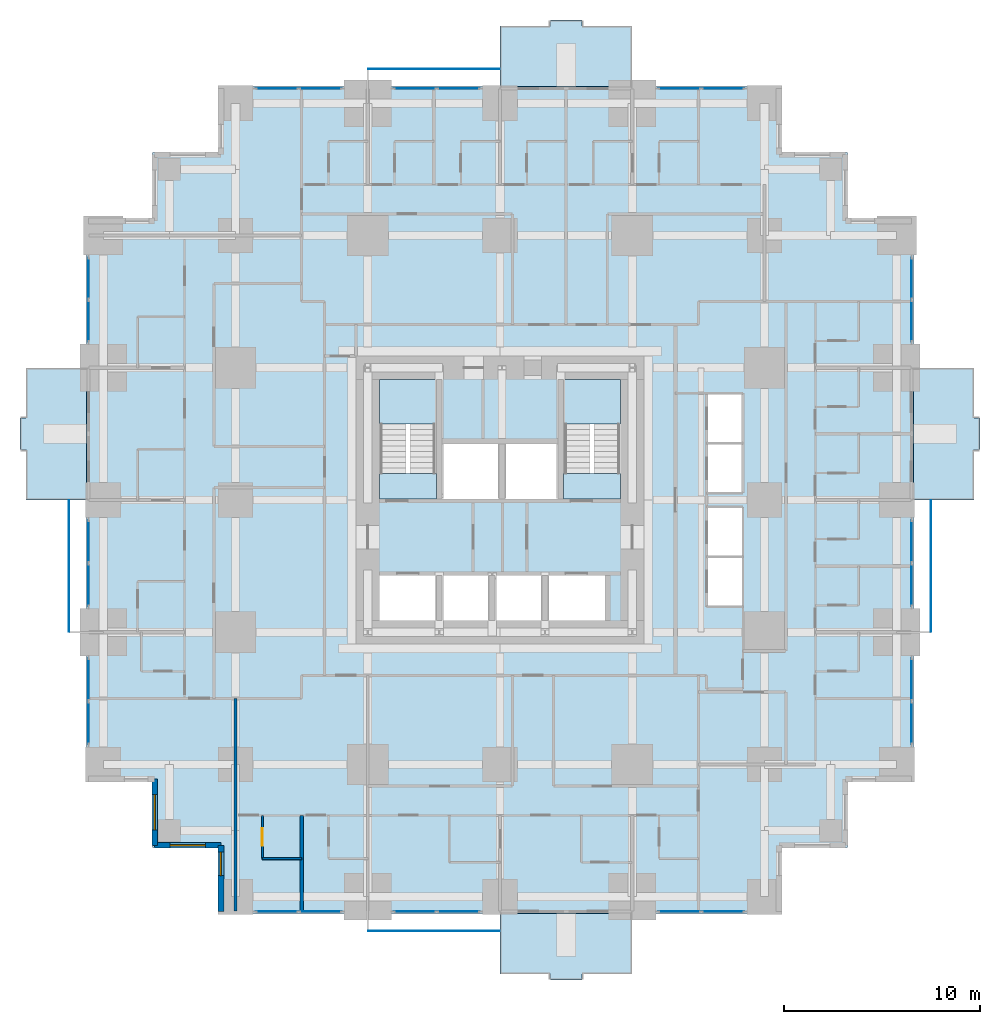
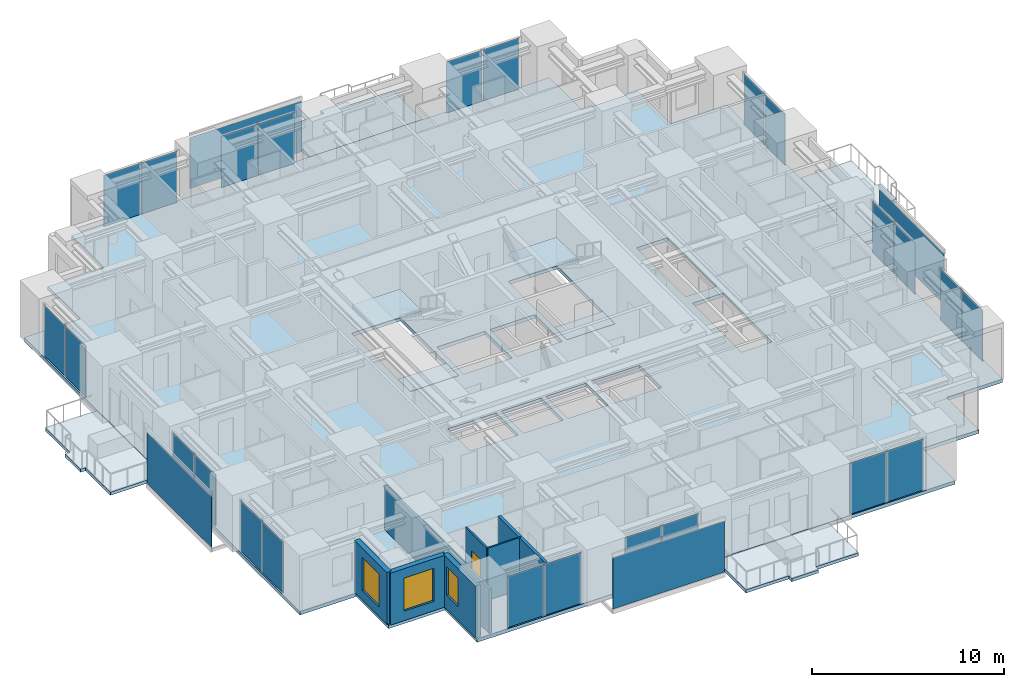
# One storey, part 7 of 15: 28 plates, 9 slabs, 7 walls, 3 windows, 1 door, 4 openings, 14 elements without a shape of their own.
"""IFC4 building model written with IfcOpenShell, lengths in metres."""

from ifc_helpers import new_model, si_unit, direction, frame, frame_2d, origin, origin_2d, place, context, subcontext, project, spatial, polyline, rectangle, outline, extrude, material, layer, layer_set, type_object, element, fill, aggregate, save


model = new_model("IFC4")

# Units and contexts
model_context = context("Model", 3, precision=1e-05, world=origin(), true_north=direction((0.0, 1.0)))
body_context = subcontext(model_context, "Body", "Model", "MODEL_VIEW")
ifc_project = project(units=[si_unit("LENGTHUNIT", "METRE"), si_unit("AREAUNIT", "SQUARE_METRE"), si_unit("VOLUMEUNIT", "CUBIC_METRE"), si_unit("PLANEANGLEUNIT", "RADIAN"), si_unit("MASSUNIT", "GRAM", prefix="KILO")], contexts=[model_context])

# Site, building, storey
site_placement = place(None, origin())
site = spatial("IfcSite", under=ifc_project, at=site_placement, CompositionType="ELEMENT")
building_placement = place(site_placement, origin())
building = spatial("IfcBuilding", under=site, at=building_placement, Name="Nyansa Garden Tower", CompositionType="ELEMENT")
storey_placement = place(building_placement, frame((0.0, 0.0, 72.0)))
storey = spatial("IfcBuildingStorey", under=building, at=storey_placement, Name="L19", CompositionType="ELEMENT", Elevation=72.0)

# Slabs
ifc_material_1 = material(Name="Concrete C40/50", Category="concrete")
ifc_layer_1 = layer(ifc_material_1, 0.199951171875)
ifc_layer_set_1 = layer_set([ifc_layer_1], Name="Balcony slab BS200")
slab_type_1 = type_object("IfcSlabType", Name="Balcony slab BS200", PredefinedType="FLOOR", material=ifc_layer_set_1)
slab_1_placement = place(storey_placement, frame((0.0, 0.0, -0.239990234375)))
element("IfcSlab", 1, at=slab_1_placement, inside=storey, type_object=slab_type_1, Name="Balcony L19 S", PredefinedType="FLOOR", context=body_context, shape_type="SweptSolid", body=[
    extrude(outline(polyline([(20.25, -0.85009765625), (27.0, -0.85009765625), (27.0, -3.949951171875), (24.425048828125, -3.949951171875), (24.425048828125, -4.25), (22.824951171875, -4.25), (22.824951171875, -3.949951171875), (20.25, -3.949951171875), (20.25, -0.85009765625)])), origin(), (0.0, 0.0, 1.0), 0.199951171875),
])
slab_2_placement = place(storey_placement, frame((0.0, 0.0, -0.239990234375)))
element("IfcSlab", 2, at=slab_2_placement, inside=storey, type_object=slab_type_1, Name="Balcony L19 E", PredefinedType="FLOOR", context=body_context, shape_type="SweptSolid", body=[
    extrude(outline(polyline([(41.35009765625, 20.25), (41.35009765625, 27.0), (44.449951171875, 27.0), (44.449951171875, 24.425048828125), (44.75, 24.425048828125), (44.75, 22.824951171875), (44.449951171875, 22.824951171875), (44.449951171875, 20.25), (41.35009765625, 20.25)])), origin(), (0.0, 0.0, 1.0), 0.199951171875),
])
slab_3_placement = place(storey_placement, frame((0.0, 0.0, -0.239990234375)))
element("IfcSlab", 3, at=slab_3_placement, inside=storey, type_object=slab_type_1, Name="Balcony L19 N", PredefinedType="FLOOR", context=body_context, shape_type="SweptSolid", body=[
    extrude(outline(polyline([(20.25, 41.35009765625), (27.0, 41.35009765625), (27.0, 44.449951171875), (24.425048828125, 44.449951171875), (24.425048828125, 44.75), (22.824951171875, 44.75), (22.824951171875, 44.449951171875), (20.25, 44.449951171875), (20.25, 41.35009765625)])), origin(), (0.0, 0.0, 1.0), 0.199951171875),
])
slab_4_placement = place(storey_placement, frame((0.0, 0.0, -0.239990234375)))
element("IfcSlab", 4, at=slab_4_placement, inside=storey, type_object=slab_type_1, Name="Balcony L19 W", PredefinedType="FLOOR", context=body_context, shape_type="SweptSolid", body=[
    extrude(outline(polyline([(-0.85009765625, 20.25), (-0.85009765625, 27.0), (-3.949951171875, 27.0), (-3.949951171875, 24.425048828125), (-4.25, 24.425048828125), (-4.25, 22.824951171875), (-3.949951171875, 22.824951171875), (-3.949951171875, 20.25), (-0.85009765625, 20.25)])), origin(), (0.0, 0.0, 1.0), 0.199951171875),
])

# Curtain wall, plates
ifc_material_2 = material(Name="Black anodised aluminium, dark tinted double glazing", Category="aluminium")
curtain_wall_type = type_object("IfcCurtainWallType", Name="Inner skin curtain wall ISW-A", PredefinedType="USERDEFINED", material=ifc_material_2)
curtain_wall_1_placement = place(storey_placement, origin())
curtain_wall_1 = element("IfcCurtainWall", 5, at=curtain_wall_1_placement, inside=storey, type_object=curtain_wall_type, Name="Inner skin curtain wall L19 E", ObjectType="UNITISED CURTAIN WALL", PredefinedType="USERDEFINED")
ifc_material_3 = material(Name="Dark tinted laminated double glazing", Category="glass")
ifc_layer_2 = layer(ifc_material_3, 0.031982421875)
ifc_layer_set_2 = layer_set([ifc_layer_2], Name="Dark tinted vision panel VP-A")
plate_type_1 = type_object("IfcPlateType", Name="Dark tinted vision panel VP-A", PredefinedType="CURTAIN_PANEL", material=ifc_layer_set_2)
plate_1_placement = place(storey_placement, frame((41.25, 8.862548828125, 0.0), z_axis=(0.0, 0.0, 1.0), x_axis=(0.0, 1.0, 0.0)))
plate_1 = element("IfcPlate", 6, at=plate_1_placement, type_object=plate_type_1, Name="ISW-A panel 1", PredefinedType="CURTAIN_PANEL", context=body_context, shape_type="SweptSolid", body=[
    extrude(rectangle(XDim=2.159912109375, YDim=0.031982421875, at=origin_2d()), origin(), (0.0, 0.0, 1.0), 3.235107421875),
])
plate_2_placement = place(storey_placement, frame((41.25, 11.08740234375, 0.0), z_axis=(0.0, 0.0, 1.0), x_axis=(0.0, 1.0, 0.0)))
plate_2 = element("IfcPlate", 7, at=plate_2_placement, type_object=plate_type_1, Name="ISW-A panel 2", PredefinedType="CURTAIN_PANEL", context=body_context, shape_type="SweptSolid", body=[
    extrude(rectangle(XDim=2.159912109375, YDim=0.031982421875, at=origin_2d()), origin(), (0.0, 0.0, 1.0), 3.235107421875),
])
aggregate(curtain_wall_1, [plate_1, plate_2])

curtain_wall_2_placement = place(storey_placement, origin())
curtain_wall_2 = element("IfcCurtainWall", 8, at=curtain_wall_2_placement, inside=storey, type_object=curtain_wall_type, Name="Inner skin curtain wall L19 E", ObjectType="UNITISED CURTAIN WALL", PredefinedType="USERDEFINED")
plate_3_placement = place(storey_placement, frame((41.25, 15.91259765625, 0.0), z_axis=(0.0, 0.0, 1.0), x_axis=(0.0, 1.0, 0.0)))
plate_3 = element("IfcPlate", 9, at=plate_3_placement, type_object=plate_type_1, Name="ISW-A panel 1", PredefinedType="CURTAIN_PANEL", context=body_context, shape_type="SweptSolid", body=[
    extrude(rectangle(XDim=2.159912109375, YDim=0.031982421875, at=origin_2d()), origin(), (0.0, 0.0, 1.0), 3.235107421875),
])
plate_4_placement = place(storey_placement, frame((41.25, 18.137451171875, 0.0), z_axis=(0.0, 0.0, 1.0), x_axis=(0.0, 1.0, 0.0)))
plate_4 = element("IfcPlate", 10, at=plate_4_placement, type_object=plate_type_1, Name="ISW-A panel 2", PredefinedType="CURTAIN_PANEL", context=body_context, shape_type="SweptSolid", body=[
    extrude(rectangle(XDim=2.159912109375, YDim=0.031982421875, at=origin_2d()), origin(), (0.0, 0.0, 1.0), 3.235107421875),
])
aggregate(curtain_wall_2, [plate_3, plate_4])

curtain_wall_3_placement = place(storey_placement, origin())
curtain_wall_3 = element("IfcCurtainWall", 11, at=curtain_wall_3_placement, inside=storey, type_object=curtain_wall_type, Name="Inner skin curtain wall L19 E", ObjectType="UNITISED CURTAIN WALL", PredefinedType="USERDEFINED")
plate_5_placement = place(storey_placement, frame((41.25, 29.387451171875, 0.0), z_axis=(0.0, 0.0, 1.0), x_axis=(0.0, 1.0, 0.0)))
plate_5 = element("IfcPlate", 12, at=plate_5_placement, type_object=plate_type_1, Name="ISW-A panel 1", PredefinedType="CURTAIN_PANEL", context=body_context, shape_type="SweptSolid", body=[
    extrude(rectangle(XDim=2.110107421875, YDim=0.031982421875, at=origin_2d()), origin(), (0.0, 0.0, 1.0), 3.235107421875),
])
plate_6_placement = place(storey_placement, frame((41.25, 31.5625, 0.0), z_axis=(0.0, 0.0, 1.0), x_axis=(0.0, 1.0, 0.0)))
plate_6 = element("IfcPlate", 13, at=plate_6_placement, type_object=plate_type_1, Name="ISW-A panel 2", PredefinedType="CURTAIN_PANEL", context=body_context, shape_type="SweptSolid", body=[
    extrude(rectangle(XDim=2.110107421875, YDim=0.031982421875, at=origin_2d()), origin(), (0.0, 0.0, 1.0), 3.235107421875),
])
aggregate(curtain_wall_3, [plate_5, plate_6])

curtain_wall_4_placement = place(storey_placement, origin())
curtain_wall_4 = element("IfcCurtainWall", 14, at=curtain_wall_4_placement, inside=storey, type_object=curtain_wall_type, Name="Inner skin curtain wall L19 N", ObjectType="UNITISED CURTAIN WALL", PredefinedType="USERDEFINED")
plate_7_placement = place(storey_placement, frame((18.137451171875, 41.25, 0.0), z_axis=(0.0, 0.0, 1.0), x_axis=(-1.0, 0.0, 0.0)))
plate_7 = element("IfcPlate", 15, at=plate_7_placement, type_object=plate_type_1, Name="ISW-A panel 1", PredefinedType="CURTAIN_PANEL", context=body_context, shape_type="SweptSolid", body=[
    extrude(rectangle(XDim=2.159912109375, YDim=0.031982421875, at=origin_2d()), origin(), (0.0, 0.0, 1.0), 3.235107421875),
])
plate_8_placement = place(storey_placement, frame((15.91259765625, 41.25, 0.0), z_axis=(0.0, 0.0, 1.0), x_axis=(-1.0, 0.0, 0.0)))
plate_8 = element("IfcPlate", 16, at=plate_8_placement, type_object=plate_type_1, Name="ISW-A panel 2", PredefinedType="CURTAIN_PANEL", context=body_context, shape_type="SweptSolid", body=[
    extrude(rectangle(XDim=2.159912109375, YDim=0.031982421875, at=origin_2d()), origin(), (0.0, 0.0, 1.0), 3.235107421875),
])
aggregate(curtain_wall_4, [plate_7, plate_8])

curtain_wall_5_placement = place(storey_placement, origin())
curtain_wall_5 = element("IfcCurtainWall", 17, at=curtain_wall_5_placement, inside=storey, type_object=curtain_wall_type, Name="Inner skin curtain wall L19 N", ObjectType="UNITISED CURTAIN WALL", PredefinedType="USERDEFINED")
plate_9_placement = place(storey_placement, frame((11.08740234375, 41.25, 0.0), z_axis=(0.0, 0.0, 1.0), x_axis=(-1.0, 0.0, 0.0)))
plate_9 = element("IfcPlate", 18, at=plate_9_placement, type_object=plate_type_1, Name="ISW-A panel 1", PredefinedType="CURTAIN_PANEL", context=body_context, shape_type="SweptSolid", body=[
    extrude(rectangle(XDim=2.159912109375, YDim=0.031982421875, at=origin_2d()), origin(), (0.0, 0.0, 1.0), 3.235107421875),
])
plate_10_placement = place(storey_placement, frame((8.862548828125, 41.25, 0.0), z_axis=(0.0, 0.0, 1.0), x_axis=(-1.0, 0.0, 0.0)))
plate_10 = element("IfcPlate", 19, at=plate_10_placement, type_object=plate_type_1, Name="ISW-A panel 2", PredefinedType="CURTAIN_PANEL", context=body_context, shape_type="SweptSolid", body=[
    extrude(rectangle(XDim=2.159912109375, YDim=0.031982421875, at=origin_2d()), origin(), (0.0, 0.0, 1.0), 3.235107421875),
])
aggregate(curtain_wall_5, [plate_9, plate_10])

curtain_wall_6_placement = place(storey_placement, origin())
curtain_wall_6 = element("IfcCurtainWall", 20, at=curtain_wall_6_placement, inside=storey, type_object=curtain_wall_type, Name="Inner skin curtain wall L19 N", ObjectType="UNITISED CURTAIN WALL", PredefinedType="USERDEFINED")
plate_11_placement = place(storey_placement, frame((31.637451171875, 41.25, 0.0), z_axis=(0.0, 0.0, 1.0), x_axis=(-1.0, 0.0, 0.0)))
plate_11 = element("IfcPlate", 21, at=plate_11_placement, type_object=plate_type_1, Name="ISW-A panel 1", PredefinedType="CURTAIN_PANEL", context=body_context, shape_type="SweptSolid", body=[
    extrude(rectangle(XDim=2.159912109375, YDim=0.031982421875, at=origin_2d()), origin(), (0.0, 0.0, 1.0), 3.235107421875),
])
plate_12_placement = place(storey_placement, frame((29.41259765625, 41.25, 0.0), z_axis=(0.0, 0.0, 1.0), x_axis=(-1.0, 0.0, 0.0)))
plate_12 = element("IfcPlate", 22, at=plate_12_placement, type_object=plate_type_1, Name="ISW-A panel 2", PredefinedType="CURTAIN_PANEL", context=body_context, shape_type="SweptSolid", body=[
    extrude(rectangle(XDim=2.159912109375, YDim=0.031982421875, at=origin_2d()), origin(), (0.0, 0.0, 1.0), 3.235107421875),
])
aggregate(curtain_wall_6, [plate_11, plate_12])

curtain_wall_7_placement = place(storey_placement, origin())
curtain_wall_7 = element("IfcCurtainWall", 23, at=curtain_wall_7_placement, inside=storey, type_object=curtain_wall_type, Name="Inner skin curtain wall L19 W", ObjectType="UNITISED CURTAIN WALL", PredefinedType="USERDEFINED")
plate_13_placement = place(storey_placement, frame((-0.75, 18.137451171875, 0.0), z_axis=(0.0, 0.0, 1.0), x_axis=(0.0, -1.0, 0.0)))
plate_13 = element("IfcPlate", 24, at=plate_13_placement, type_object=plate_type_1, Name="ISW-A panel 1", PredefinedType="CURTAIN_PANEL", context=body_context, shape_type="SweptSolid", body=[
    extrude(rectangle(XDim=2.159912109375, YDim=0.031982421875, at=origin_2d()), origin(), (0.0, 0.0, 1.0), 3.235107421875),
])
plate_14_placement = place(storey_placement, frame((-0.75, 15.91259765625, 0.0), z_axis=(0.0, 0.0, 1.0), x_axis=(0.0, -1.0, 0.0)))
plate_14 = element("IfcPlate", 25, at=plate_14_placement, type_object=plate_type_1, Name="ISW-A panel 2", PredefinedType="CURTAIN_PANEL", context=body_context, shape_type="SweptSolid", body=[
    extrude(rectangle(XDim=2.159912109375, YDim=0.031982421875, at=origin_2d()), origin(), (0.0, 0.0, 1.0), 3.235107421875),
])
aggregate(curtain_wall_7, [plate_13, plate_14])

curtain_wall_8_placement = place(storey_placement, origin())
curtain_wall_8 = element("IfcCurtainWall", 26, at=curtain_wall_8_placement, inside=storey, type_object=curtain_wall_type, Name="Inner skin curtain wall L19 W", ObjectType="UNITISED CURTAIN WALL", PredefinedType="USERDEFINED")
plate_15_placement = place(storey_placement, frame((-0.75, 11.08740234375, 0.0), z_axis=(0.0, 0.0, 1.0), x_axis=(0.0, -1.0, 0.0)))
plate_15 = element("IfcPlate", 27, at=plate_15_placement, type_object=plate_type_1, Name="ISW-A panel 1", PredefinedType="CURTAIN_PANEL", context=body_context, shape_type="SweptSolid", body=[
    extrude(rectangle(XDim=2.159912109375, YDim=0.031982421875, at=origin_2d()), origin(), (0.0, 0.0, 1.0), 3.235107421875),
])
plate_16_placement = place(storey_placement, frame((-0.75, 8.862548828125, 0.0), z_axis=(0.0, 0.0, 1.0), x_axis=(0.0, -1.0, 0.0)))
plate_16 = element("IfcPlate", 28, at=plate_16_placement, type_object=plate_type_1, Name="ISW-A panel 2", PredefinedType="CURTAIN_PANEL", context=body_context, shape_type="SweptSolid", body=[
    extrude(rectangle(XDim=2.159912109375, YDim=0.031982421875, at=origin_2d()), origin(), (0.0, 0.0, 1.0), 3.235107421875),
])
aggregate(curtain_wall_8, [plate_15, plate_16])

curtain_wall_9_placement = place(storey_placement, origin())
curtain_wall_9 = element("IfcCurtainWall", 29, at=curtain_wall_9_placement, inside=storey, type_object=curtain_wall_type, Name="Inner skin curtain wall L19 W", ObjectType="UNITISED CURTAIN WALL", PredefinedType="USERDEFINED")
plate_17_placement = place(storey_placement, frame((-0.75, 31.5625, 0.0), z_axis=(0.0, 0.0, 1.0), x_axis=(0.0, -1.0, 0.0)))
plate_17 = element("IfcPlate", 30, at=plate_17_placement, type_object=plate_type_1, Name="ISW-A panel 1", PredefinedType="CURTAIN_PANEL", context=body_context, shape_type="SweptSolid", body=[
    extrude(rectangle(XDim=2.110107421875, YDim=0.031982421875, at=origin_2d()), origin(), (0.0, 0.0, 1.0), 3.235107421875),
])
plate_18_placement = place(storey_placement, frame((-0.75, 29.387451171875, 0.0), z_axis=(0.0, 0.0, 1.0), x_axis=(0.0, -1.0, 0.0)))
plate_18 = element("IfcPlate", 31, at=plate_18_placement, type_object=plate_type_1, Name="ISW-A panel 2", PredefinedType="CURTAIN_PANEL", context=body_context, shape_type="SweptSolid", body=[
    extrude(rectangle(XDim=2.110107421875, YDim=0.031982421875, at=origin_2d()), origin(), (0.0, 0.0, 1.0), 3.235107421875),
])
aggregate(curtain_wall_9, [plate_17, plate_18])

curtain_wall_10_placement = place(storey_placement, origin())
curtain_wall_10 = element("IfcCurtainWall", 32, at=curtain_wall_10_placement, inside=storey, type_object=curtain_wall_type, Name="Inner skin curtain wall L19 S", ObjectType="UNITISED CURTAIN WALL", PredefinedType="USERDEFINED")
plate_19_placement = place(storey_placement, frame((8.862548828125, -0.75, 0.0), z_axis=(0.0, 0.0, 1.0), x_axis=(1.0, 0.0, 0.0)))
plate_19 = element("IfcPlate", 33, at=plate_19_placement, type_object=plate_type_1, Name="ISW-A panel 1", PredefinedType="CURTAIN_PANEL", context=body_context, shape_type="SweptSolid", body=[
    extrude(rectangle(XDim=2.159912109375, YDim=0.031982421875, at=origin_2d()), origin(), (0.0, 0.0, 1.0), 3.235107421875),
])
plate_20_placement = place(storey_placement, frame((11.08740234375, -0.75, 0.0), z_axis=(0.0, 0.0, 1.0), x_axis=(1.0, 0.0, 0.0)))
plate_20 = element("IfcPlate", 34, at=plate_20_placement, type_object=plate_type_1, Name="ISW-A panel 2", PredefinedType="CURTAIN_PANEL", context=body_context, shape_type="SweptSolid", body=[
    extrude(rectangle(XDim=2.159912109375, YDim=0.031982421875, at=origin_2d()), origin(), (0.0, 0.0, 1.0), 3.235107421875),
])
aggregate(curtain_wall_10, [plate_19, plate_20])

curtain_wall_11_placement = place(storey_placement, origin())
curtain_wall_11 = element("IfcCurtainWall", 35, at=curtain_wall_11_placement, inside=storey, type_object=curtain_wall_type, Name="Inner skin curtain wall L19 S", ObjectType="UNITISED CURTAIN WALL", PredefinedType="USERDEFINED")
plate_21_placement = place(storey_placement, frame((15.91259765625, -0.75, 0.0), z_axis=(0.0, 0.0, 1.0), x_axis=(1.0, 0.0, 0.0)))
plate_21 = element("IfcPlate", 36, at=plate_21_placement, type_object=plate_type_1, Name="ISW-A panel 1", PredefinedType="CURTAIN_PANEL", context=body_context, shape_type="SweptSolid", body=[
    extrude(rectangle(XDim=2.159912109375, YDim=0.031982421875, at=origin_2d()), origin(), (0.0, 0.0, 1.0), 3.235107421875),
])
plate_22_placement = place(storey_placement, frame((18.137451171875, -0.75, 0.0), z_axis=(0.0, 0.0, 1.0), x_axis=(1.0, 0.0, 0.0)))
plate_22 = element("IfcPlate", 37, at=plate_22_placement, type_object=plate_type_1, Name="ISW-A panel 2", PredefinedType="CURTAIN_PANEL", context=body_context, shape_type="SweptSolid", body=[
    extrude(rectangle(XDim=2.159912109375, YDim=0.031982421875, at=origin_2d()), origin(), (0.0, 0.0, 1.0), 3.235107421875),
])
aggregate(curtain_wall_11, [plate_21, plate_22])

curtain_wall_12_placement = place(storey_placement, origin())
curtain_wall_12 = element("IfcCurtainWall", 38, at=curtain_wall_12_placement, inside=storey, type_object=curtain_wall_type, Name="Inner skin curtain wall L19 S", ObjectType="UNITISED CURTAIN WALL", PredefinedType="USERDEFINED")
plate_23_placement = place(storey_placement, frame((29.41259765625, -0.75, 0.0), z_axis=(0.0, 0.0, 1.0), x_axis=(1.0, 0.0, 0.0)))
plate_23 = element("IfcPlate", 39, at=plate_23_placement, type_object=plate_type_1, Name="ISW-A panel 1", PredefinedType="CURTAIN_PANEL", context=body_context, shape_type="SweptSolid", body=[
    extrude(rectangle(XDim=2.159912109375, YDim=0.031982421875, at=origin_2d()), origin(), (0.0, 0.0, 1.0), 3.235107421875),
])
plate_24_placement = place(storey_placement, frame((31.637451171875, -0.75, 0.0), z_axis=(0.0, 0.0, 1.0), x_axis=(1.0, 0.0, 0.0)))
plate_24 = element("IfcPlate", 40, at=plate_24_placement, type_object=plate_type_1, Name="ISW-A panel 2", PredefinedType="CURTAIN_PANEL", context=body_context, shape_type="SweptSolid", body=[
    extrude(rectangle(XDim=2.159912109375, YDim=0.031982421875, at=origin_2d()), origin(), (0.0, 0.0, 1.0), 3.235107421875),
])
aggregate(curtain_wall_12, [plate_23, plate_24])

# Slab
ifc_material_4 = material(Name="Concrete C40/50", Category="concrete")
ifc_layer_3 = layer(ifc_material_4, 0.22509765625)
ifc_layer_set_3 = layer_set([ifc_layer_3], Name="Floor slab FS225")
slab_type_2 = type_object("IfcSlabType", Name="Floor slab FS225", PredefinedType="FLOOR", material=ifc_layer_set_3)
slab_5_placement = place(storey_placement, frame((0.0, 0.0, -0.22509765625)))
element("IfcSlab", 41, at=slab_5_placement, inside=storey, type_object=slab_type_2, Name="Floor slab L19", PredefinedType="FLOOR", context=body_context, shape_type="SweptSolid", body=[
    extrude(outline(polyline([(41.35009765625, 5.89990234375), (37.97509765625, 5.89990234375), (37.97509765625, 2.52490234375), (34.60009765625, 2.52490234375), (34.60009765625, -0.85009765625), (5.89990234375, -0.85009765625), (5.89990234375, 2.52490234375), (2.52490234375, 2.52490234375), (2.52490234375, 5.89990234375), (-0.85009765625, 5.89990234375), (-0.85009765625, 34.60009765625), (2.52490234375, 34.60009765625), (2.52490234375, 37.97509765625), (5.89990234375, 37.97509765625), (5.89990234375, 41.35009765625), (34.60009765625, 41.35009765625), (34.60009765625, 37.97509765625), (37.97509765625, 37.97509765625), (37.97509765625, 34.60009765625), (41.35009765625, 34.60009765625), (41.35009765625, 5.89990234375)]), holes=[polyline([(14.10009765625, 14.10009765625), (17.0, 14.10009765625), (17.0, 16.39990234375), (14.10009765625, 16.39990234375), (14.10009765625, 14.10009765625)]), polyline([(17.300048828125, 14.10009765625), (19.699951171875, 14.10009765625), (19.699951171875, 16.39990234375), (17.300048828125, 16.39990234375), (17.300048828125, 14.10009765625)]), polyline([(20.0, 14.10009765625), (22.39990234375, 14.10009765625), (22.39990234375, 16.39990234375), (20.0, 16.39990234375), (20.0, 14.10009765625)]), polyline([(22.699951171875, 14.10009765625), (25.60009765625, 14.10009765625), (25.60009765625, 16.39990234375), (22.699951171875, 16.39990234375), (22.699951171875, 14.10009765625)]), polyline([(17.300048828125, 20.300048828125), (20.199951171875, 20.300048828125), (20.199951171875, 23.10009765625), (17.300048828125, 23.10009765625), (17.300048828125, 20.300048828125)]), polyline([(20.5, 20.300048828125), (23.199951171875, 20.300048828125), (23.199951171875, 23.10009765625), (20.5, 23.10009765625), (20.5, 20.300048828125)]), polyline([(30.800048828125, 14.800048828125), (32.64990234375, 14.800048828125), (32.64990234375, 19.89990234375), (30.800048828125, 19.89990234375), (30.800048828125, 14.800048828125)]), polyline([(30.800048828125, 20.60009765625), (32.64990234375, 20.60009765625), (32.64990234375, 25.699951171875), (30.800048828125, 25.699951171875), (30.800048828125, 20.60009765625)]), polyline([(14.10009765625, 20.300048828125), (17.0, 20.300048828125), (17.0, 26.39990234375), (14.10009765625, 26.39990234375), (14.10009765625, 20.300048828125)]), polyline([(23.5, 20.300048828125), (26.39990234375, 20.300048828125), (26.39990234375, 26.39990234375), (23.5, 26.39990234375), (23.5, 20.300048828125)])]), origin(), (0.0, 0.0, 1.0), 0.22509765625),
])

# Plates
ifc_material_5 = material(Name="Dark tinted laminated glass", Category="glass")
ifc_layer_4 = layer(ifc_material_5, 0.02392578125)
ifc_layer_set_4 = layer_set([ifc_layer_4], Name="Outer skin glass panel OS1")
plate_type_2 = type_object("IfcPlateType", Name="Outer skin glass panel OS1", PredefinedType="USERDEFINED", material=ifc_layer_set_4)
for number, where, z_axis, x_axis, name in (
    (42, (42.25, 16.875, -0.22509765625), (0.0, 0.0, 1.0), (0.0, 1.0, 0.0), "Outer skin glass panel L19"),
    (43, (16.875, 42.25, -0.22509765625), (0.0, 0.0, 1.0), (1.0, 0.0, 0.0), "Outer skin glass panel L19"),
    (44, (-1.75, 16.875, -0.22509765625), (0.0, 0.0, 1.0), (0.0, 1.0, 0.0), "Outer skin glass panel L19"),
    (45, (16.875, -1.75, -0.22509765625), (0.0, 0.0, 1.0), (1.0, 0.0, 0.0), "Outer skin glass panel L19"),
):
    element("IfcPlate", number, at=place(storey_placement, frame(where, z_axis=z_axis, x_axis=x_axis)), inside=storey, type_object=plate_type_2, Name=name, ObjectType="OUTER SKIN GLASS", PredefinedType="USERDEFINED", context=body_context, shape_type="SweptSolid", body=[
        extrude(rectangle(XDim=6.7099609375, YDim=0.02392578125, at=origin_2d()), origin(), (0.0, 0.0, 1.0), 3.22509765625),
    ])

# Stair, slabs
ifc_material_6 = material(Name="Precast concrete C40/50", Category="concrete")
stair_type_1 = type_object("IfcStairType", Name="Stair S1 180x280", PredefinedType="HALF_TURN_STAIR", material=ifc_material_6)
stair_1_placement = place(storey_placement, origin())
stair_1 = element("IfcStair", 46, at=stair_1_placement, inside=storey, type_object=stair_type_1, Name="Stair S1 L19", PredefinedType="HALF_TURN_STAIR")
ifc_material_7 = material(Name="Concrete C40/50", Category="concrete")
ifc_layer_5 = layer(ifc_material_7, 0.199951171875)
ifc_layer_set_5 = layer_set([ifc_layer_5], Name="Stair landing SL200")
slab_type_3 = type_object("IfcSlabType", Name="Stair landing SL200", PredefinedType="LANDING", material=ifc_layer_set_5)
slab_6_placement = place(storey_placement, frame((0.0, 0.0, -0.199951171875)))
slab_6 = element("IfcSlab", 47, at=slab_6_placement, type_object=slab_type_3, Name="S1 landing 1", PredefinedType="LANDING", context=body_context, shape_type="SweptSolid", body=[
    extrude(outline(polyline([(14.10009765625, 20.300048828125), (17.0, 20.300048828125), (17.0, 21.60009765625), (14.10009765625, 21.60009765625), (14.10009765625, 20.300048828125)])), origin(), (0.0, 0.0, 1.0), 0.199951171875),
])
slab_7_placement = place(storey_placement, frame((0.0, 0.0, 1.60009765625)))
slab_7 = element("IfcSlab", 48, at=slab_7_placement, type_object=slab_type_3, Name="S1 landing 2", PredefinedType="LANDING", context=body_context, shape_type="SweptSolid", body=[
    extrude(outline(polyline([(14.10009765625, 24.1201171875), (17.0, 24.1201171875), (17.0, 26.39990234375), (14.10009765625, 26.39990234375), (14.10009765625, 24.1201171875)])), origin(), (0.0, 0.0, 1.0), 0.199951171875),
])
aggregate(stair_1, [slab_6, slab_7])

ifc_material_8 = material(Name="Precast concrete C40/50", Category="concrete")
stair_type_2 = type_object("IfcStairType", Name="Stair S2 180x280", PredefinedType="HALF_TURN_STAIR", material=ifc_material_8)
stair_2_placement = place(storey_placement, origin())
stair_2 = element("IfcStair", 49, at=stair_2_placement, inside=storey, type_object=stair_type_2, Name="Stair S2 L19", PredefinedType="HALF_TURN_STAIR")
slab_8_placement = place(storey_placement, frame((0.0, 0.0, -0.199951171875)))
slab_8 = element("IfcSlab", 50, at=slab_8_placement, type_object=slab_type_3, Name="S2 landing 1", PredefinedType="LANDING", context=body_context, shape_type="SweptSolid", body=[
    extrude(outline(polyline([(23.5, 20.300048828125), (26.39990234375, 20.300048828125), (26.39990234375, 21.60009765625), (23.5, 21.60009765625), (23.5, 20.300048828125)])), origin(), (0.0, 0.0, 1.0), 0.199951171875),
])
slab_9_placement = place(storey_placement, frame((0.0, 0.0, 1.60009765625)))
slab_9 = element("IfcSlab", 51, at=slab_9_placement, type_object=slab_type_3, Name="S2 landing 2", PredefinedType="LANDING", context=body_context, shape_type="SweptSolid", body=[
    extrude(outline(polyline([(23.5, 24.1201171875), (26.39990234375, 24.1201171875), (26.39990234375, 26.39990234375), (23.5, 26.39990234375), (23.5, 24.1201171875)])), origin(), (0.0, 0.0, 1.0), 0.199951171875),
])
aggregate(stair_2, [slab_8, slab_9])

# Walls
ifc_material_9 = material(Name="Dense blockwork, plastered both sides, 55 dB", Category="masonry")
ifc_layer_6 = layer(ifc_material_9, 0.175048828125)
ifc_layer_set_6 = layer_set([ifc_layer_6], Name="Acoustic party wall PW175")
wall_type_1 = type_object("IfcWallType", Name="Acoustic party wall PW175", PredefinedType="PARTITIONING", material=ifc_layer_set_6)
wall_1_placement = place(storey_placement, frame((10.125, -0.73388671875, 0.0), z_axis=(0.0, 0.0, 1.0), x_axis=(0.0, 1.0, 0.0)))
element("IfcWall", 52, at=wall_1_placement, inside=storey, type_object=wall_type_1, Name="Party wall", PredefinedType="PARTITIONING", context=body_context, shape_type="SweptSolid", body=[
    extrude(rectangle(XDim=4.8837890625, YDim=0.175048828125, at=frame_2d((2.44189453125, 0.0))), origin(), (0.0, 0.0, 1.0), 3.300048828125),
])
ifc_material_10 = material(Name="Blockwork, plastered both sides", Category="masonry")
ifc_layer_7 = layer(ifc_material_10, 0.14990234375)
ifc_layer_set_7 = layer_set([ifc_layer_7], Name="Partition PW150")
wall_type_2 = type_object("IfcWallType", Name="Partition PW150", PredefinedType="PARTITIONING", material=ifc_layer_set_7)
wall_2_placement = place(storey_placement, frame((6.75, -0.73388671875, 0.0), z_axis=(0.0, 0.0, 1.0), x_axis=(0.0, 1.0, 0.0)))
element("IfcWall", 53, at=wall_2_placement, inside=storey, type_object=wall_type_2, Name="Partition", PredefinedType="PARTITIONING", context=body_context, shape_type="SweptSolid", body=[
    extrude(rectangle(XDim=10.85888671875, YDim=0.14990234375, at=frame_2d((5.429443359375, 0.0))), origin(), (0.0, 0.0, 1.0), 2.802001953125),
])

# Wall, opening, window
ifc_material_11 = material(Name="Turquoise glazed tile on concrete blockwork", Category="masonry")
ifc_layer_8 = layer(ifc_material_11, 0.300048828125)
ifc_layer_set_8 = layer_set([ifc_layer_8], Name="Tiled corner wall TW300")
wall_type_3 = type_object("IfcWallType", Name="Tiled corner wall TW300", PredefinedType="SOLIDWALL", material=ifc_layer_set_8)
wall_3_placement = place(storey_placement, frame((2.625, 6.0, 0.0), z_axis=(0.0, 0.0, 1.0), x_axis=(0.0, -1.0, 0.0)))
wall_3 = element("IfcWall", 54, at=wall_3_placement, inside=storey, type_object=wall_type_3, Name="Tiled corner wall L19", PredefinedType="SOLIDWALL", context=body_context, shape_type="SweptSolid", body=[
    extrude(rectangle(XDim=3.375, YDim=0.300048828125, at=frame_2d((1.6875, 0.0))), origin(), (0.0, 0.0, 1.0), 3.300048828125),
])
opening_1_placement = place(wall_3_placement, frame((0.78759765625, 0.0, 0.60009765625)))
opening_1 = element("IfcOpeningElement", 55, at=opening_1_placement, cuts=wall_3, Name="Opening W2", PredefinedType="OPENING", context=body_context, shape_type="SweptSolid", body=[
    extrude(rectangle(XDim=1.800048828125, YDim=2.10009765625, at=frame_2d((0.89990234375, 1.050048828125))), frame((0.0, 0.159912109375, 0.0), z_axis=(0.0, -1.0, 0.0), x_axis=(1.0, 0.0, 0.0)), (0.0, 0.0, 1.0), 0.320068359375),
])
ifc_material_12 = material(Name="Black aluminium frame, dark tinted double glazing", Category="aluminium")
window_type_1 = type_object("IfcWindowType", Name="Window W2 1800x2100", PartitioningType="SINGLE_PANEL", PredefinedType="WINDOW", material=ifc_material_12)
window_1_placement = place(opening_1_placement, origin())
window_1 = element("IfcWindow", 56, at=window_1_placement, inside=storey, type_object=window_type_1, Name="Corner window L19", OverallHeight=2.10009765625, OverallWidth=1.800048828125, PartitioningType="SINGLE_PANEL", PredefinedType="WINDOW", context=body_context, shape_type="SweptSolid", body=[
    extrude(rectangle(XDim=1.800048828125, YDim=2.10009765625, at=frame_2d((0.89990234375, 1.050048828125))), frame((0.0, 0.030029296875, 0.0), z_axis=(0.0, -1.0, 0.0), x_axis=(1.0, 0.0, 0.0)), (0.0, 0.0, 1.0), 0.06005859375),
])
fill(opening_1, window_1)

wall_4_placement = place(storey_placement, frame((2.625, 2.625, 0.0), z_axis=(0.0, 0.0, 1.0), x_axis=(1.0, 0.0, 0.0)))
wall_4 = element("IfcWall", 57, at=wall_4_placement, inside=storey, type_object=wall_type_3, Name="Tiled corner wall L19", PredefinedType="SOLIDWALL", context=body_context, shape_type="SweptSolid", body=[
    extrude(rectangle(XDim=3.375, YDim=0.300048828125, at=frame_2d((1.6875, 0.0))), origin(), (0.0, 0.0, 1.0), 3.300048828125),
])
opening_2_placement = place(wall_4_placement, frame((0.78759765625, 0.0, 0.60009765625)))
opening_2 = element("IfcOpeningElement", 58, at=opening_2_placement, cuts=wall_4, Name="Opening W2", PredefinedType="OPENING", context=body_context, shape_type="SweptSolid", body=[
    extrude(rectangle(XDim=1.800048828125, YDim=2.10009765625, at=frame_2d((0.89990234375, 1.050048828125))), frame((0.0, 0.159912109375, 0.0), z_axis=(0.0, -1.0, 0.0), x_axis=(1.0, 0.0, 0.0)), (0.0, 0.0, 1.0), 0.320068359375),
])
window_2_placement = place(opening_2_placement, origin())
window_2 = element("IfcWindow", 59, at=window_2_placement, inside=storey, type_object=window_type_1, Name="Corner window L19", OverallHeight=2.10009765625, OverallWidth=1.800048828125, PartitioningType="SINGLE_PANEL", PredefinedType="WINDOW", context=body_context, shape_type="SweptSolid", body=[
    extrude(rectangle(XDim=1.800048828125, YDim=2.10009765625, at=frame_2d((0.89990234375, 1.050048828125))), frame((0.0, 0.030029296875, 0.0), z_axis=(0.0, -1.0, 0.0), x_axis=(1.0, 0.0, 0.0)), (0.0, 0.0, 1.0), 0.06005859375),
])
fill(opening_2, window_2)

wall_5_placement = place(storey_placement, frame((6.0, 2.625, 0.0), z_axis=(0.0, 0.0, 1.0), x_axis=(0.0, -1.0, 0.0)))
wall_5 = element("IfcWall", 60, at=wall_5_placement, inside=storey, type_object=wall_type_3, Name="Tiled corner wall L19", PredefinedType="SOLIDWALL", context=body_context, shape_type="SweptSolid", body=[
    extrude(rectangle(XDim=3.375, YDim=0.300048828125, at=frame_2d((1.6875, 0.0))), origin(), (0.0, 0.0, 1.0), 3.300048828125),
])
opening_3_placement = place(wall_5_placement, frame((0.342529296875, 0.0, 0.89990234375)))
opening_3 = element("IfcOpeningElement", 61, at=opening_3_placement, cuts=wall_5, Name="Opening W4", PredefinedType="OPENING", context=body_context, shape_type="SweptSolid", body=[
    extrude(rectangle(XDim=1.199951171875, YDim=1.800048828125, at=frame_2d((0.60009765625, 0.89990234375))), frame((0.0, 0.159912109375, 0.0), z_axis=(0.0, -1.0, 0.0), x_axis=(1.0, 0.0, 0.0)), (0.0, 0.0, 1.0), 0.320068359375),
])
ifc_material_13 = material(Name="Black aluminium frame, dark tinted double glazing", Category="aluminium")
window_type_2 = type_object("IfcWindowType", Name="Window W4 1200x1800", PartitioningType="SINGLE_PANEL", PredefinedType="WINDOW", material=ifc_material_13)
window_3_placement = place(opening_3_placement, origin())
window_3 = element("IfcWindow", 62, at=window_3_placement, inside=storey, type_object=window_type_2, Name="Corner window L19", OverallHeight=1.800048828125, OverallWidth=1.199951171875, PartitioningType="SINGLE_PANEL", PredefinedType="WINDOW", context=body_context, shape_type="SweptSolid", body=[
    extrude(rectangle(XDim=1.199951171875, YDim=1.800048828125, at=frame_2d((0.60009765625, 0.89990234375))), frame((0.0, 0.030029296875, 0.0), z_axis=(0.0, -1.0, 0.0), x_axis=(1.0, 0.0, 0.0)), (0.0, 0.0, 1.0), 0.06005859375),
])
fill(opening_3, window_3)

# Wall, opening, door
ifc_material_14 = material(Name="Moisture resistant board on steel studs, tiled", Category="steel")
ifc_layer_9 = layer(ifc_material_14, 0.10009765625)
ifc_layer_set_9 = layer_set([ifc_layer_9], Name="Wet wall PW100")
wall_type_4 = type_object("IfcWallType", Name="Wet wall PW100", PredefinedType="PARTITIONING", material=ifc_layer_set_9)
wall_6_placement = place(storey_placement, frame((8.125, 1.949951171875, 0.0), z_axis=(0.0, 0.0, 1.0), x_axis=(0.0, 1.0, 0.0)))
wall_6 = element("IfcWall", 63, at=wall_6_placement, inside=storey, type_object=wall_type_4, Name="Wet wall", PredefinedType="PARTITIONING", context=body_context, shape_type="SweptSolid", body=[
    extrude(rectangle(XDim=2.199951171875, YDim=0.10009765625, at=frame_2d((1.10009765625, 0.0))), origin(), (0.0, 0.0, 1.0), 3.300048828125),
])
opening_4_placement = place(wall_6_placement, frame((0.64990234375, 0.0, 0.0)))
opening_4 = element("IfcOpeningElement", 64, at=opening_4_placement, cuts=wall_6, Name="Opening D02", PredefinedType="OPENING", context=body_context, shape_type="SweptSolid", body=[
    extrude(rectangle(XDim=0.89990234375, YDim=2.199951171875, at=frame_2d((0.449951171875, 1.10009765625))), frame((0.0, 0.06005859375, 0.0), z_axis=(0.0, -1.0, 0.0), x_axis=(1.0, 0.0, 0.0)), (0.0, 0.0, 1.0), 0.1201171875),
])
ifc_material_15 = material(Name="Timber flush door", Category="wood")
door_type = type_object("IfcDoorType", Name="En-suite door D02 900x2200", OperationType="SINGLE_SWING_RIGHT", PredefinedType="DOOR", material=ifc_material_15)
door_placement = place(opening_4_placement, origin())
door = element("IfcDoor", 65, at=door_placement, inside=storey, type_object=door_type, Name="Door L19-020", OperationType="SINGLE_SWING_RIGHT", OverallHeight=2.199951171875, OverallWidth=0.89990234375, PredefinedType="DOOR", context=body_context, shape_type="SweptSolid", body=[
    extrude(rectangle(XDim=0.89990234375, YDim=2.199951171875, at=frame_2d((0.449951171875, 1.10009765625))), frame((0.0, 0.02490234375, 0.0), z_axis=(0.0, -1.0, 0.0), x_axis=(1.0, 0.0, 0.0)), (0.0, 0.0, 1.0), 0.050048828125),
])
fill(opening_4, door)

# Wall
wall_7_placement = place(storey_placement, frame((8.125, 1.949951171875, 0.0), z_axis=(0.0, 0.0, 1.0), x_axis=(1.0, 0.0, 0.0)))
element("IfcWall", 66, at=wall_7_placement, inside=storey, type_object=wall_type_4, Name="Wet wall", PredefinedType="PARTITIONING", context=body_context, shape_type="SweptSolid", body=[
    extrude(rectangle(XDim=2.0, YDim=0.10009765625, at=frame_2d((1.0, 0.0))), origin(), (0.0, 0.0, 1.0), 3.300048828125),
])

save(model, "model.ifc")
